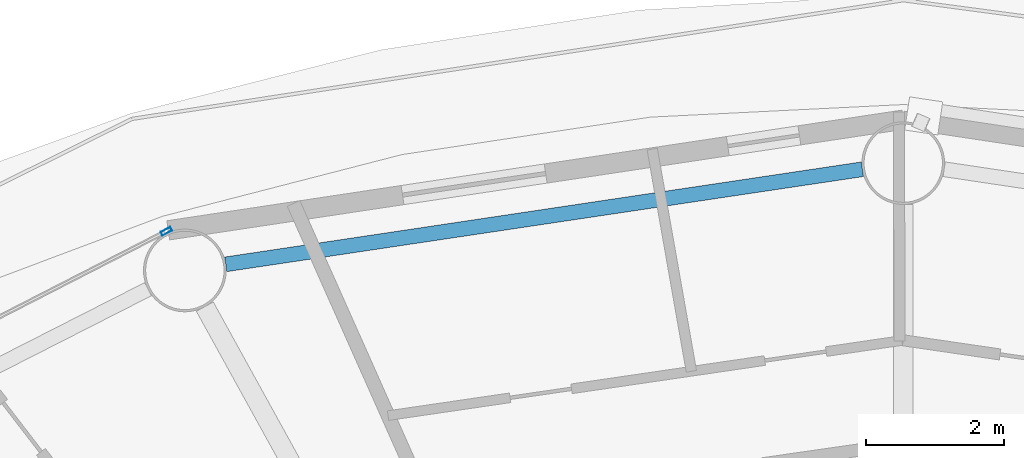
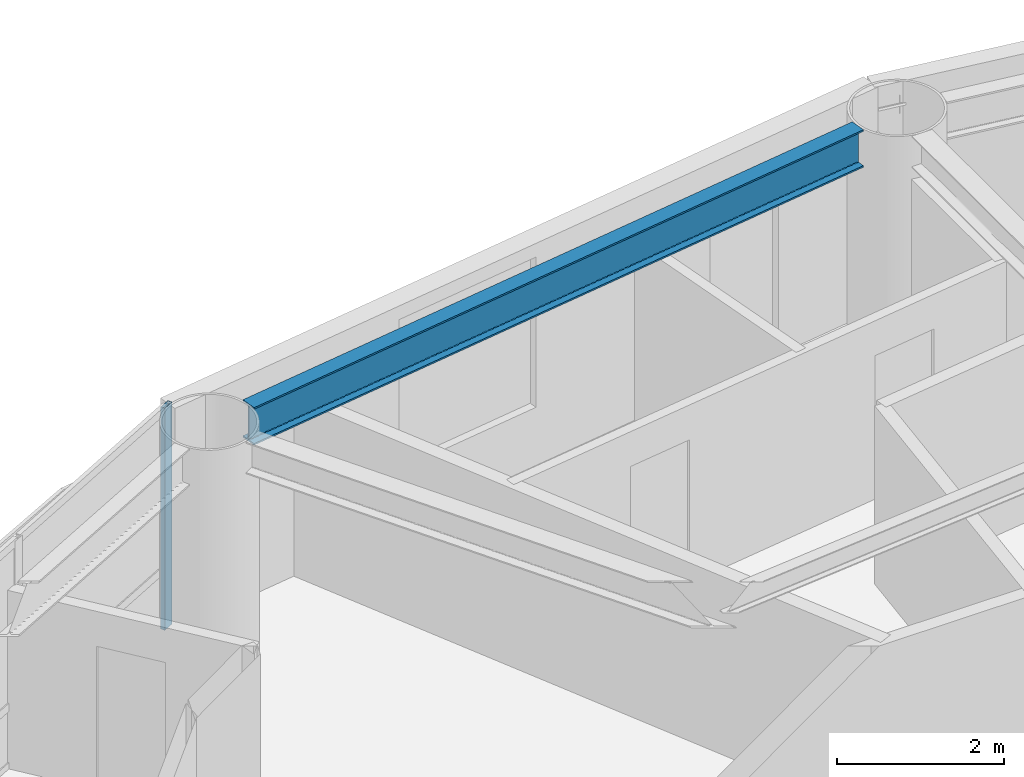
# One storey, part 11 of 28: 1 beam, 1 member, 1 element without a shape of its own.
"""IFC4 building model written with IfcOpenShell, lengths in metres."""

from ifc_helpers import new_model, si_unit, direction, frame, origin, origin_2d, place, context, subcontext, project, spatial, hollow_rectangle, i_section, extrude, material, layer, layer_set, material_profile, profile_set, type_object, element, aggregate, save


model = new_model("IFC4")

# Units and contexts
model_context = context("Model", 3, precision=1e-05, world=origin(), true_north=direction((0.0, 1.0)))
body_context = subcontext(model_context, "Body", "Model", "MODEL_VIEW")
ifc_project = project(units=[si_unit("LENGTHUNIT", "METRE"), si_unit("AREAUNIT", "SQUARE_METRE"), si_unit("VOLUMEUNIT", "CUBIC_METRE"), si_unit("PLANEANGLEUNIT", "RADIAN"), si_unit("MASSUNIT", "GRAM", prefix="KILO")], contexts=[model_context])

# Site, building, storey
site_placement = place(None, origin())
site = spatial("IfcSite", under=ifc_project, at=site_placement, CompositionType="ELEMENT")
building_placement = place(site_placement, origin())
building = spatial("IfcBuilding", under=site, at=building_placement, Name="Sarneth Arch Tower", CompositionType="ELEMENT")
storey_placement = place(building_placement, frame((0.0, 0.0, 197.39990234375)))
storey = spatial("IfcBuildingStorey", under=building, at=storey_placement, Name="L50", CompositionType="ELEMENT", Elevation=197.39990234375)

# Beam
ifc_material_1 = material(Name="Steel S355", Category="steel")
ifc_material_profile_1 = material_profile(ifc_material_1, i_section(OverallWidth=0.214111328125, OverallDepth=0.549072265625, WebThickness=0.0146484375, FlangeThickness=0.023681640625, FilletRadius=0.01806640625, at=origin_2d()), Name="W530x138")
ifc_profile_set_1 = profile_set([ifc_material_profile_1], Name="Steel S355")
beam_type = type_object("IfcBeamType", Name="BM-RAD-530A", PredefinedType="BEAM", material=ifc_profile_set_1)
beam_placement = place(storey_placement, frame((47.406494140625, 62.361328125, 2.9755859375), z_axis=(-0.98902783755, -0.147729267756, 0.0), x_axis=(0.147729267756, -0.98902783755, 0.0)))
element("IfcBeam", 1, at=beam_placement, inside=storey, type_object=beam_type, Name="L50 Perimeter spandrel beam 05", PredefinedType="BEAM", context=body_context, shape_type="SweptSolid", body=[
    extrude(i_section(OverallWidth=0.214111328125, OverallDepth=0.549072265625, WebThickness=0.0146484375, FlangeThickness=0.023681640625, FilletRadius=0.01806640625, at=origin_2d()), origin(), (0.0, 0.0, 1.0), 9.33740234375),
])

# Curtain wall, member
ifc_material_2 = material(Name="Anodised aluminium Type AA25 and solar-control low-e laminated IGU", Category="aluminium")
ifc_layer = layer(ifc_material_2, 0.169921875)
ifc_layer_set = layer_set([ifc_layer], Name="Anodised aluminium Type AA25 and solar-control low-e laminated IGU")
curtain_wall_type = type_object("IfcCurtainWallType", Name="CW-RES-MID", PredefinedType="NOTDEFINED", material=ifc_layer_set)
curtain_wall_placement = place(storey_placement, origin())
curtain_wall = element("IfcCurtainWall", 2, at=curtain_wall_placement, inside=storey, type_object=curtain_wall_type, Name="L50 Unitised curtain wall facet 06", PredefinedType="NOTDEFINED")
ifc_material_3 = material(Name="Anodised Aluminium 6063-T6", Category="aluminium")
ifc_material_profile_2 = material_profile(ifc_material_3, hollow_rectangle(XDim=0.06005859375, YDim=0.159912109375, WallThickness=0.00390625, at=origin_2d()), Name="AL-MULL-160x60x4")
ifc_profile_set_2 = profile_set([ifc_material_profile_2], Name="Anodised Aluminium 6063-T6")
member_type = type_object("IfcMemberType", Name="CW-MULLION", PredefinedType="MULLION", material=ifc_profile_set_2)
member_placement = place(storey_placement, frame((37.310546875, 61.461669921875, 0.0), z_axis=(0.0, 0.0, 1.0), x_axis=(0.456208470329, -0.88987293003, 0.0)))
member = element("IfcMember", 3, at=member_placement, type_object=member_type, Name="CW-SYS-5 mullion 1", PredefinedType="MULLION", context=body_context, shape_type="SweptSolid", body=[
    extrude(hollow_rectangle(XDim=0.06005859375, YDim=0.159912109375, WallThickness=0.00390625, at=origin_2d()), origin(), (0.0, 0.0, 1.0), 3.25),
])
aggregate(curtain_wall, [member])

save(model, "model.ifc")
